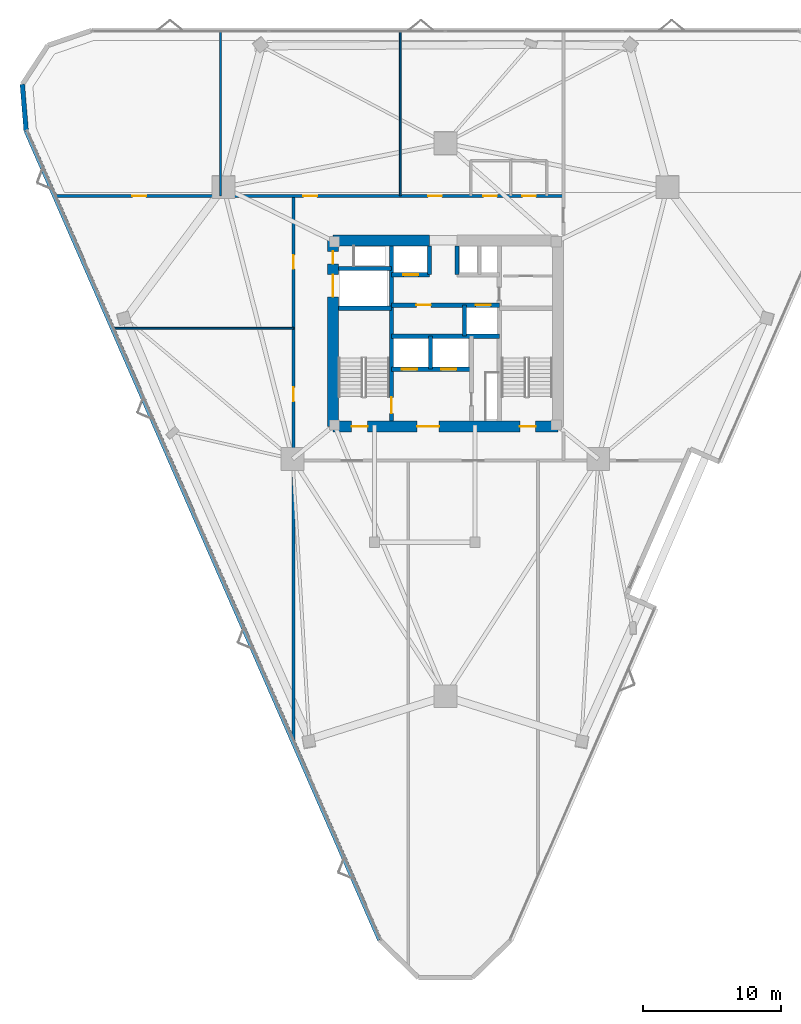
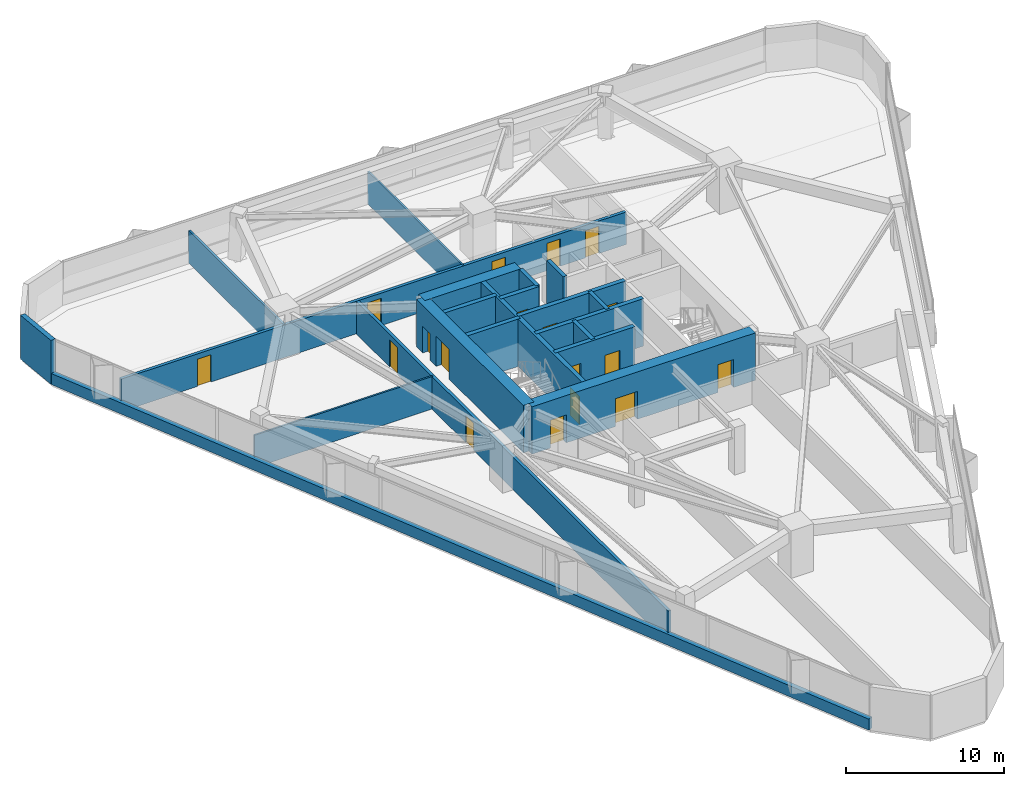
# One storey, part 11 of 15: 21 walls, 18 doors, 18 openings.
"""IFC4 building model written with IfcOpenShell, lengths in metres."""

from ifc_helpers import new_model, si_unit, direction, frame, frame_2d, origin, place, context, subcontext, project, spatial, rectangle, extrude, material, layer, layer_set, type_object, element, fill, save


model = new_model("IFC4")

# Units and contexts
model_context = context("Model", 3, precision=1e-05, world=origin(), true_north=direction((0.0, 1.0)))
body_context = subcontext(model_context, "Body", "Model", "MODEL_VIEW")
ifc_project = project(units=[si_unit("LENGTHUNIT", "METRE"), si_unit("AREAUNIT", "SQUARE_METRE"), si_unit("VOLUMEUNIT", "CUBIC_METRE"), si_unit("PLANEANGLEUNIT", "RADIAN"), si_unit("MASSUNIT", "GRAM", prefix="KILO")], contexts=[model_context])

# Site, building, storey
site_placement = place(None, origin())
site = spatial("IfcSite", under=ifc_project, at=site_placement, CompositionType="ELEMENT")
building_placement = place(site_placement, origin())
building = spatial("IfcBuilding", under=site, at=building_placement, Name="Talyreon Biosciences Tower", CompositionType="ELEMENT")
storey_placement = place(building_placement, frame((0.0, 0.0, 100.550048828125)))
storey = spatial("IfcBuildingStorey", under=building, at=storey_placement, Name="L26", CompositionType="ELEMENT", Elevation=100.550048828125)

# Walls
ifc_material_1 = material(Name="Concrete C50/60", Category="concrete")
ifc_layer_1 = layer(ifc_material_1, 0.280029296875)
ifc_layer_set_1 = layer_set([ifc_layer_1], Name="Concrete C50/60")
wall_type_1 = type_object("IfcWallType", Name="CoreShearWall_280", PredefinedType="SHEAR", material=ifc_layer_set_1)
wall_1_placement = place(storey_placement, frame((64.919921875, 65.39990234375, 0.0), z_axis=(0.0, 0.0, 1.0), x_axis=(0.0, 1.0, 0.0)))
element("IfcWall", 1, at=wall_1_placement, inside=storey, type_object=wall_type_1, Name="L26 Core Shaft Wall SWSHD1", PredefinedType="SHEAR", context=body_context, shape_type="SweptSolid", body=[
    extrude(rectangle(XDim=2.400146484375, YDim=0.280029296875, at=frame_2d((1.2001953125, 0.0))), origin(), (0.0, 0.0, 1.0), 3.64990234375),
])
for number, where, z_axis, x_axis, name in (
    (2, (64.85009765625, 72.25, 0.0), (0.0, 0.0, 1.0), (0.0, 1.0, 0.0), "L26 Core Shaft Wall SWTHW"),
    (3, (66.85009765625, 72.25, 0.0), (0.0, 0.0, 1.0), (0.0, 1.0, 0.0), "L26 Core Shaft Wall SWTHE"),
):
    element("IfcWall", number, at=place(storey_placement, frame(where, z_axis=z_axis, x_axis=x_axis)), inside=storey, type_object=wall_type_1, Name=name, PredefinedType="SHEAR", context=body_context, shape_type="SweptSolid", body=[
        extrude(rectangle(XDim=2.10009765625, YDim=0.280029296875, at=frame_2d((1.050048828125, 0.0))), origin(), (0.0, 0.0, 1.0), 3.64990234375),
    ])
wall_2_placement = place(storey_placement, frame((67.3798828125, 67.800048828125, 0.0), z_axis=(0.0, 0.0, 1.0), x_axis=(0.0, 1.0, 0.0)))
element("IfcWall", 4, at=wall_2_placement, inside=storey, type_object=wall_type_1, Name="L26 Core Shaft Wall SWPMD", PredefinedType="SHEAR", context=body_context, shape_type="SweptSolid", body=[
    extrude(rectangle(XDim=2.25, YDim=0.280029296875, at=frame_2d((1.125, 0.0))), origin(), (0.0, 0.0, 1.0), 3.64990234375),
])

# Wall, opening, door
ifc_layer_2 = layer(ifc_material_1, 0.320068359375)
ifc_layer_set_2 = layer_set([ifc_layer_2], Name="Concrete C50/60")
wall_type_2 = type_object("IfcWallType", Name="CoreShearWall_320", PredefinedType="SHEAR", material=ifc_layer_set_2)
wall_3_placement = place(storey_placement, frame((62.090087890625, 61.64990234375, 0.0), z_axis=(0.0, 0.0, 1.0), x_axis=(0.0, 1.0, 0.0)))
wall_3 = element("IfcWall", 5, at=wall_3_placement, inside=storey, type_object=wall_type_2, Name="L26 Core Shaft Wall SW1E", PredefinedType="SHEAR", context=body_context, shape_type="SweptSolid", body=[
    extrude(rectangle(XDim=12.7001953125, YDim=0.320068359375, at=frame_2d((6.35009765625, 0.0))), origin(), (0.0, 0.0, 1.0), 3.64990234375),
])
opening_1_placement = place(wall_3_placement, frame((0.550048828125, 0.0, 0.0)))
opening_1 = element("IfcOpeningElement", 6, at=opening_1_placement, cuts=wall_3, Name="Opening DR-L26-FF-ST1", PredefinedType="OPENING", context=body_context, shape_type="SweptSolid", body=[
    extrude(rectangle(XDim=1.14990234375, YDim=2.14990234375, at=frame_2d((0.574951171875, 1.074951171875))), frame((0.0, 0.169921875, 0.0), z_axis=(0.0, -1.0, 0.0), x_axis=(1.0, 0.0, 0.0)), (0.0, 0.0, 1.0), 0.340087890625),
])
ifc_material_2 = material(Name="Painted steel fire door", Category="steel")
door_type_1 = type_object("IfcDoorType", Name="StairShaftFireDoor_1150x2150", OperationType="NOTDEFINED", PredefinedType="DOOR", material=ifc_material_2)
door_1_placement = place(opening_1_placement, origin())
door_1 = element("IfcDoor", 7, at=door_1_placement, inside=storey, type_object=door_type_1, Name="L26 Core Door DR-L26-FF-ST1", OperationType="SINGLE_SWING_LEFT", OverallHeight=2.14990234375, OverallWidth=1.14990234375, PredefinedType="DOOR", context=body_context, shape_type="SweptSolid", body=[
    extrude(rectangle(XDim=1.14990234375, YDim=2.14990234375, at=frame_2d((0.574951171875, 1.074951171875))), frame((0.0, 0.02490234375, 0.0), z_axis=(0.0, -1.0, 0.0), x_axis=(1.0, 0.0, 0.0)), (0.0, 0.0, 1.0), 0.050048828125),
])
fill(opening_1, door_1)

# Walls
for number, where, z_axis, x_axis, name in (
    (8, (58.25, 69.81005859375, 0.0), (0.0, 0.0, 1.0), (1.0, 0.0, 0.0), "L26 Core Shaft Wall SW1N"),
    (9, (58.25, 72.699951171875, 0.0), (0.0, 0.0, 1.0), (1.0, 0.0, 0.0), "L26 Core Shaft Wall SWGLN"),
):
    element("IfcWall", number, at=place(storey_placement, frame(where, z_axis=z_axis, x_axis=x_axis)), inside=storey, type_object=wall_type_2, Name=name, PredefinedType="SHEAR", context=body_context, shape_type="SweptSolid", body=[
        extrude(rectangle(XDim=3.840087890625, YDim=0.320068359375, at=frame_2d((1.919921875, 0.0))), origin(), (0.0, 0.0, 1.0), 3.64990234375),
    ])
wall_4_placement = place(storey_placement, frame((62.090087890625, 67.800048828125, 0.0), z_axis=(0.0, 0.0, 1.0), x_axis=(1.0, 0.0, 0.0)))
element("IfcWall", 10, at=wall_4_placement, inside=storey, type_object=wall_type_2, Name="L26 Core Shaft Wall SWSHM", PredefinedType="SHEAR", context=body_context, shape_type="SweptSolid", body=[
    extrude(rectangle(XDim=7.81982421875, YDim=0.320068359375, at=frame_2d((3.909912109375, 0.0))), origin(), (0.0, 0.0, 1.0), 3.64990234375),
])

# Wall, openings, doors
wall_5_placement = place(storey_placement, frame((62.090087890625, 70.050048828125, 0.0), z_axis=(0.0, 0.0, 1.0), x_axis=(1.0, 0.0, 0.0)))
wall_5 = element("IfcWall", 11, at=wall_5_placement, inside=storey, type_object=wall_type_2, Name="L26 Core Shaft Wall SWSPN", PredefinedType="SHEAR", context=body_context, shape_type="SweptSolid", body=[
    extrude(rectangle(XDim=7.81982421875, YDim=0.320068359375, at=frame_2d((3.909912109375, 0.0))), origin(), (0.0, 0.0, 1.0), 3.64990234375),
])
opening_2_placement = place(wall_5_placement, frame((1.800048828125, 0.0, 0.0)))
opening_2 = element("IfcOpeningElement", 12, at=opening_2_placement, cuts=wall_5, Name="Opening DR-L26-PLFREE-A", PredefinedType="OPENING", context=body_context, shape_type="SweptSolid", body=[
    extrude(rectangle(XDim=1.050048828125, YDim=2.14990234375, at=frame_2d((0.52490234375, 1.074951171875))), frame((0.0, 0.169921875, 0.0), z_axis=(0.0, -1.0, 0.0), x_axis=(1.0, 0.0, 0.0)), (0.0, 0.0, 1.0), 0.340087890625),
])
opening_3_placement = place(wall_5_placement, frame((6.10009765625, 0.0, 0.0)))
opening_3 = element("IfcOpeningElement", 13, at=opening_3_placement, cuts=wall_5, Name="Opening LD-L26-PM1", PredefinedType="OPENING", context=body_context, shape_type="SweptSolid", body=[
    extrude(rectangle(XDim=1.10009765625, YDim=2.199951171875, at=frame_2d((0.550048828125, 1.10009765625))), frame((0.0, 0.169921875, 0.0), z_axis=(0.0, -1.0, 0.0), x_axis=(1.0, 0.0, 0.0)), (0.0, 0.0, 1.0), 0.340087890625),
])
ifc_material_3 = material(Name="Acoustic timber-core laboratory door", Category="wood")
door_type_2 = type_object("IfcDoorType", Name="DryLabSingleDoor_1050x2150", OperationType="NOTDEFINED", PredefinedType="DOOR", material=ifc_material_3)
door_2_placement = place(opening_2_placement, origin())
door_2 = element("IfcDoor", 14, at=door_2_placement, inside=storey, type_object=door_type_2, Name="L26 Core Door DR-L26-PLFREE-A", OperationType="SINGLE_SWING_LEFT", OverallHeight=2.14990234375, OverallWidth=1.050048828125, PredefinedType="DOOR", context=body_context, shape_type="SweptSolid", body=[
    extrude(rectangle(XDim=1.050048828125, YDim=2.14990234375, at=frame_2d((0.52490234375, 1.074951171875))), frame((0.0, 0.02490234375, 0.0), z_axis=(0.0, -1.0, 0.0), x_axis=(1.0, 0.0, 0.0)), (0.0, 0.0, 1.0), 0.050048828125),
])
fill(opening_2, door_2)
ifc_material_4 = material(Name="Brushed stainless-steel lift landing door", Category="steel")
door_type_3 = type_object("IfcDoorType", Name="LiftSlidingLandingDoor_1100x2200", OperationType="SLIDING_TO_LEFT", PredefinedType="DOOR", material=ifc_material_4)
door_3_placement = place(opening_3_placement, origin())
door_3 = element("IfcDoor", 15, at=door_3_placement, inside=storey, type_object=door_type_3, Name="L26 Core Door LD-L26-PM1", OperationType="SLIDING_TO_LEFT", OverallHeight=2.199951171875, OverallWidth=1.10009765625, PredefinedType="DOOR", context=body_context, shape_type="SweptSolid", body=[
    extrude(rectangle(XDim=1.10009765625, YDim=2.199951171875, at=frame_2d((0.550048828125, 1.10009765625))), frame((0.0, 0.02490234375, 0.0), z_axis=(0.0, -1.0, 0.0), x_axis=(1.0, 0.0, 0.0)), (0.0, 0.0, 1.0), 0.050048828125),
])
fill(opening_3, door_3)

# Wall, opening, door
wall_6_placement = place(storey_placement, frame((62.090087890625, 72.25, 0.0), z_axis=(0.0, 0.0, 1.0), x_axis=(1.0, 0.0, 0.0)))
wall_6 = element("IfcWall", 16, at=wall_6_placement, inside=storey, type_object=wall_type_2, Name="L26 Core Shaft Wall SWNPW", PredefinedType="SHEAR", context=body_context, shape_type="SweptSolid", body=[
    extrude(rectangle(XDim=2.760009765625, YDim=0.320068359375, at=frame_2d((1.3798828125, 0.0))), origin(), (0.0, 0.0, 1.0), 3.64990234375),
])
opening_4_placement = place(wall_6_placement, frame((0.85009765625, 0.0, 0.0)))
opening_4 = element("IfcOpeningElement", 17, at=opening_4_placement, cuts=wall_6, Name="Opening LD-L26-PM2", PredefinedType="OPENING", context=body_context, shape_type="SweptSolid", body=[
    extrude(rectangle(XDim=1.10009765625, YDim=2.199951171875, at=frame_2d((0.550048828125, 1.10009765625))), frame((0.0, 0.169921875, 0.0), z_axis=(0.0, -1.0, 0.0), x_axis=(1.0, 0.0, 0.0)), (0.0, 0.0, 1.0), 0.340087890625),
])
door_4_placement = place(opening_4_placement, origin())
door_4 = element("IfcDoor", 18, at=door_4_placement, inside=storey, type_object=door_type_3, Name="L26 Core Door LD-L26-PM2", OperationType="SLIDING_TO_LEFT", OverallHeight=2.199951171875, OverallWidth=1.10009765625, PredefinedType="DOOR", context=body_context, shape_type="SweptSolid", body=[
    extrude(rectangle(XDim=1.10009765625, YDim=2.199951171875, at=frame_2d((0.550048828125, 1.10009765625))), frame((0.0, 0.02490234375, 0.0), z_axis=(0.0, -1.0, 0.0), x_axis=(1.0, 0.0, 0.0)), (0.0, 0.0, 1.0), 0.050048828125),
])
fill(opening_4, door_4)

# Wall, openings, doors
wall_7_placement = place(storey_placement, frame((62.090087890625, 65.39990234375, 0.0), z_axis=(0.0, 0.0, 1.0), x_axis=(1.0, 0.0, 0.0)))
wall_7 = element("IfcWall", 19, at=wall_7_placement, inside=storey, type_object=wall_type_2, Name="L26 Core Shaft Wall SWFFN", PredefinedType="SHEAR", context=body_context, shape_type="SweptSolid", body=[
    extrude(rectangle(XDim=5.789794921875, YDim=0.320068359375, at=frame_2d((2.89501953125, 0.0))), origin(), (0.0, 0.0, 1.0), 3.64990234375),
])
opening_5_placement = place(wall_7_placement, frame((0.75, 0.0, 0.0)))
opening_5 = element("IfcOpeningElement", 20, at=opening_5_placement, cuts=wall_7, Name="Opening LD-L26-FL1", PredefinedType="OPENING", context=body_context, shape_type="SweptSolid", body=[
    extrude(rectangle(XDim=1.10009765625, YDim=2.199951171875, at=frame_2d((0.550048828125, 1.10009765625))), frame((0.0, 0.169921875, 0.0), z_axis=(0.0, -1.0, 0.0), x_axis=(1.0, 0.0, 0.0)), (0.0, 0.0, 1.0), 0.340087890625),
])
opening_6_placement = place(wall_7_placement, frame((3.60009765625, 0.0, 0.0)))
opening_6 = element("IfcOpeningElement", 21, at=opening_6_placement, cuts=wall_7, Name="Opening LD-L26-FL2", PredefinedType="OPENING", context=body_context, shape_type="SweptSolid", body=[
    extrude(rectangle(XDim=1.10009765625, YDim=2.199951171875, at=frame_2d((0.550048828125, 1.10009765625))), frame((0.0, 0.169921875, 0.0), z_axis=(0.0, -1.0, 0.0), x_axis=(1.0, 0.0, 0.0)), (0.0, 0.0, 1.0), 0.340087890625),
])
door_5_placement = place(opening_5_placement, origin())
door_5 = element("IfcDoor", 22, at=door_5_placement, inside=storey, type_object=door_type_3, Name="L26 Core Door LD-L26-FL1", OperationType="SLIDING_TO_LEFT", OverallHeight=2.199951171875, OverallWidth=1.10009765625, PredefinedType="DOOR", context=body_context, shape_type="SweptSolid", body=[
    extrude(rectangle(XDim=1.10009765625, YDim=2.199951171875, at=frame_2d((0.550048828125, 1.10009765625))), frame((0.0, 0.02490234375, 0.0), z_axis=(0.0, -1.0, 0.0), x_axis=(1.0, 0.0, 0.0)), (0.0, 0.0, 1.0), 0.050048828125),
])
fill(opening_5, door_5)
door_6_placement = place(opening_6_placement, origin())
door_6 = element("IfcDoor", 23, at=door_6_placement, inside=storey, type_object=door_type_3, Name="L26 Core Door LD-L26-FL2", OperationType="SLIDING_TO_LEFT", OverallHeight=2.199951171875, OverallWidth=1.10009765625, PredefinedType="DOOR", context=body_context, shape_type="SweptSolid", body=[
    extrude(rectangle(XDim=1.10009765625, YDim=2.199951171875, at=frame_2d((0.550048828125, 1.10009765625))), frame((0.0, 0.02490234375, 0.0), z_axis=(0.0, -1.0, 0.0), x_axis=(1.0, 0.0, 0.0)), (0.0, 0.0, 1.0), 0.050048828125),
])
fill(opening_6, door_6)

ifc_material_5 = material(Name="Concrete C60/75", Category="concrete")
ifc_layer_3 = layer(ifc_material_5, 0.800048828125)
ifc_layer_set_3 = layer_set([ifc_layer_3], Name="Concrete C60/75")
wall_type_3 = type_object("IfcWallType", Name="CoreShearWall_800", PredefinedType="SHEAR", material=ifc_layer_set_3)
wall_8_placement = place(storey_placement, frame((57.85009765625, 61.25, 0.0), z_axis=(0.0, 0.0, 1.0), x_axis=(1.0, 0.0, 0.0)))
wall_8 = element("IfcWall", 24, at=wall_8_placement, inside=storey, type_object=wall_type_3, Name="L26 Core Shear Wall S", PredefinedType="SHEAR", context=body_context, shape_type="SweptSolid", body=[
    extrude(rectangle(XDim=16.2998046875, YDim=0.800048828125, at=frame_2d((8.14990234375, 0.0))), origin(), (0.0, 0.0, 1.0), 3.64990234375),
])
opening_7_placement = place(wall_8_placement, frame((1.35009765625, 0.0, 0.0)))
opening_7 = element("IfcOpeningElement", 25, at=opening_7_placement, cuts=wall_8, Name="Opening DR-L26-ST1", PredefinedType="OPENING", context=body_context, shape_type="SweptSolid", body=[
    extrude(rectangle(XDim=1.14990234375, YDim=2.14990234375, at=frame_2d((0.574951171875, 1.074951171875))), frame((0.0, 0.409912109375, 0.0), z_axis=(0.0, -1.0, 0.0), x_axis=(1.0, 0.0, 0.0)), (0.0, 0.0, 1.0), 0.820068359375),
])
opening_8_placement = place(wall_8_placement, frame((6.10009765625, 0.0, 0.0)))
opening_8 = element("IfcOpeningElement", 26, at=opening_8_placement, cuts=wall_8, Name="Opening DR-L26-FFL", PredefinedType="OPENING", context=body_context, shape_type="SweptSolid", body=[
    extrude(rectangle(XDim=1.60009765625, YDim=2.14990234375, at=frame_2d((0.800048828125, 1.074951171875))), frame((0.0, 0.409912109375, 0.0), z_axis=(0.0, -1.0, 0.0), x_axis=(1.0, 0.0, 0.0)), (0.0, 0.0, 1.0), 0.820068359375),
])
opening_9_placement = place(wall_8_placement, frame((13.550048828125, 0.0, 0.0)))
opening_9 = element("IfcOpeningElement", 27, at=opening_9_placement, cuts=wall_8, Name="Opening DR-L26-ST2", PredefinedType="OPENING", context=body_context, shape_type="SweptSolid", body=[
    extrude(rectangle(XDim=1.14990234375, YDim=2.14990234375, at=frame_2d((0.574951171875, 1.074951171875))), frame((0.0, 0.409912109375, 0.0), z_axis=(0.0, -1.0, 0.0), x_axis=(1.0, 0.0, 0.0)), (0.0, 0.0, 1.0), 0.820068359375),
])
ifc_material_6 = material(Name="Painted steel smoke-seal fire door", Category="steel")
door_type_4 = type_object("IfcDoorType", Name="FirefightingLobbyDoubleDoor_1600x2150", OperationType="DOUBLE_DOOR_SINGLE_SWING", PredefinedType="DOOR", material=ifc_material_6)
door_7_placement = place(opening_8_placement, origin())
door_7 = element("IfcDoor", 28, at=door_7_placement, inside=storey, type_object=door_type_4, Name="L26 Core Door DR-L26-FFL", OperationType="DOUBLE_DOOR_SINGLE_SWING", OverallHeight=2.14990234375, OverallWidth=1.60009765625, PredefinedType="DOOR", context=body_context, shape_type="SweptSolid", body=[
    extrude(rectangle(XDim=1.60009765625, YDim=2.14990234375, at=frame_2d((0.800048828125, 1.074951171875))), frame((0.0, 0.02490234375, 0.0), z_axis=(0.0, -1.0, 0.0), x_axis=(1.0, 0.0, 0.0)), (0.0, 0.0, 1.0), 0.050048828125),
])
fill(opening_8, door_7)
door_8_placement = place(opening_7_placement, origin())
door_8 = element("IfcDoor", 29, at=door_8_placement, inside=storey, type_object=door_type_1, Name="L26 Core Door DR-L26-ST1", OperationType="SINGLE_SWING_LEFT", OverallHeight=2.14990234375, OverallWidth=1.14990234375, PredefinedType="DOOR", context=body_context, shape_type="SweptSolid", body=[
    extrude(rectangle(XDim=1.14990234375, YDim=2.14990234375, at=frame_2d((0.574951171875, 1.074951171875))), frame((0.0, 0.02490234375, 0.0), z_axis=(0.0, -1.0, 0.0), x_axis=(1.0, 0.0, 0.0)), (0.0, 0.0, 1.0), 0.050048828125),
])
fill(opening_7, door_8)
door_9_placement = place(opening_9_placement, origin())
door_9 = element("IfcDoor", 30, at=door_9_placement, inside=storey, type_object=door_type_1, Name="L26 Core Door DR-L26-ST2", OperationType="SINGLE_SWING_RIGHT", OverallHeight=2.14990234375, OverallWidth=1.14990234375, PredefinedType="DOOR", context=body_context, shape_type="SweptSolid", body=[
    extrude(rectangle(XDim=1.14990234375, YDim=2.14990234375, at=frame_2d((0.574951171875, 1.074951171875))), frame((0.0, 0.02490234375, 0.0), z_axis=(0.0, -1.0, 0.0), x_axis=(1.0, 0.0, 0.0)), (0.0, 0.0, 1.0), 0.050048828125),
])
fill(opening_9, door_9)

# Wall
wall_9_placement = place(storey_placement, frame((64.85009765625, 74.75, 0.0), z_axis=(0.0, 0.0, 1.0), x_axis=(-1.0, 0.0, 0.0)))
element("IfcWall", 31, at=wall_9_placement, inside=storey, type_object=wall_type_3, Name="L26 Core Shear Wall NW", PredefinedType="SHEAR", context=body_context, shape_type="SweptSolid", body=[
    extrude(rectangle(XDim=7.0, YDim=0.800048828125, at=frame_2d((3.5, 0.0))), origin(), (0.0, 0.0, 1.0), 3.64990234375),
])

# Wall, openings, doors
wall_10_placement = place(storey_placement, frame((57.85009765625, 74.75, 0.0), z_axis=(0.0, 0.0, 1.0), x_axis=(0.0, -1.0, 0.0)))
wall_10 = element("IfcWall", 32, at=wall_10_placement, inside=storey, type_object=wall_type_3, Name="L26 Core Shear Wall W", PredefinedType="SHEAR", context=body_context, shape_type="SweptSolid", body=[
    extrude(rectangle(XDim=13.5, YDim=0.800048828125, at=frame_2d((6.75, 0.0))), origin(), (0.0, 0.0, 1.0), 3.64990234375),
])
opening_10_placement = place(wall_10_placement, frame((0.800048828125, 0.0, 0.0)))
opening_10 = element("IfcOpeningElement", 33, at=opening_10_placement, cuts=wall_10, Name="Opening DR-L26-RSW", PredefinedType="OPENING", context=body_context, shape_type="SweptSolid", body=[
    extrude(rectangle(XDim=0.919921875, YDim=2.050048828125, at=frame_2d((0.4599609375, 1.02490234375))), frame((0.0, 0.409912109375, 0.0), z_axis=(0.0, -1.0, 0.0), x_axis=(1.0, 0.0, 0.0)), (0.0, 0.0, 1.0), 0.820068359375),
])
opening_11_placement = place(wall_10_placement, frame((2.5, 0.0, 0.0)))
opening_11 = element("IfcOpeningElement", 34, at=opening_11_placement, cuts=wall_10, Name="Opening LD-L26-GL1", PredefinedType="OPENING", context=body_context, shape_type="SweptSolid", body=[
    extrude(rectangle(XDim=1.60009765625, YDim=2.300048828125, at=frame_2d((0.800048828125, 1.14990234375))), frame((0.0, 0.409912109375, 0.0), z_axis=(0.0, -1.0, 0.0), x_axis=(1.0, 0.0, 0.0)), (0.0, 0.0, 1.0), 0.820068359375),
])
ifc_material_7 = material(Name="Heavy-duty stainless-steel goods lift door", Category="steel")
door_type_5 = type_object("IfcDoorType", Name="GoodsLiftSlidingDoor_1600x2300", OperationType="DOUBLE_DOOR_SLIDING", PredefinedType="DOOR", material=ifc_material_7)
door_10_placement = place(opening_11_placement, origin())
door_10 = element("IfcDoor", 35, at=door_10_placement, inside=storey, type_object=door_type_5, Name="L26 Core Door LD-L26-GL1", OperationType="DOUBLE_DOOR_SLIDING", OverallHeight=2.300048828125, OverallWidth=1.60009765625, PredefinedType="DOOR", context=body_context, shape_type="SweptSolid", body=[
    extrude(rectangle(XDim=1.60009765625, YDim=2.300048828125, at=frame_2d((0.800048828125, 1.14990234375))), frame((0.0, 0.02490234375, 0.0), z_axis=(0.0, -1.0, 0.0), x_axis=(1.0, 0.0, 0.0)), (0.0, 0.0, 1.0), 0.050048828125),
])
fill(opening_11, door_10)
ifc_material_8 = material(Name="Painted steel fire-rated riser door", Category="steel")
door_type_6 = type_object("IfcDoorType", Name="RiserPlantAccessDoor_920x2050", OperationType="NOTDEFINED", PredefinedType="DOOR", material=ifc_material_8)
door_11_placement = place(opening_10_placement, origin())
door_11 = element("IfcDoor", 36, at=door_11_placement, inside=storey, type_object=door_type_6, Name="L26 Core Door DR-L26-RSW", OperationType="SINGLE_SWING_LEFT", OverallHeight=2.050048828125, OverallWidth=0.919921875, PredefinedType="DOOR", context=body_context, shape_type="SweptSolid", body=[
    extrude(rectangle(XDim=0.919921875, YDim=2.050048828125, at=frame_2d((0.4599609375, 1.02490234375))), frame((0.0, 0.02490234375, 0.0), z_axis=(0.0, -1.0, 0.0), x_axis=(1.0, 0.0, 0.0)), (0.0, 0.0, 1.0), 0.050048828125),
])
fill(opening_10, door_11)

ifc_material_9 = material(Name="Gypsum fireboard acoustic stud", Category="gypsum")
ifc_layer_4 = layer(ifc_material_9, 0.219970703125)
ifc_layer_set_4 = layer_set([ifc_layer_4], Name="Gypsum fireboard acoustic stud")
wall_type_4 = type_object("IfcWallType", Name="CorridorRatedPartition_220", PredefinedType="PARTITIONING", material=ifc_layer_set_4)
wall_11_placement = place(storey_placement, frame((37.74267578125, 77.969970703125, 0.0), z_axis=(0.0, 0.0, 1.0), x_axis=(1.0, 0.0, 0.0)))
wall_11 = element("IfcWall", 37, at=wall_11_placement, inside=storey, type_object=wall_type_4, Name="L26 Interior Wall IW-L26-COR-N", PredefinedType="PARTITIONING", context=body_context, shape_type="SweptSolid", body=[
    extrude(rectangle(XDim=36.807373046875, YDim=0.219970703125, at=frame_2d((18.40380859375, 0.0))), origin(), (0.0, 0.0, 1.0), 2.5048828125),
])
opening_12_placement = place(wall_11_placement, frame((31.01708984375, 0.0, 0.0)))
opening_12 = element("IfcOpeningElement", 38, at=opening_12_placement, cuts=wall_11, Name="Opening DR-L26-WC", PredefinedType="OPENING", context=body_context, shape_type="SweptSolid", body=[
    extrude(rectangle(XDim=0.97998046875, YDim=2.10009765625, at=frame_2d((0.489990234375, 1.050048828125))), frame((0.0, 0.119873046875, 0.0), z_axis=(0.0, -1.0, 0.0), x_axis=(1.0, 0.0, 0.0)), (0.0, 0.0, 1.0), 0.239990234375),
])
opening_13_placement = place(wall_11_placement, frame((33.842041015625, 0.0, 0.0)))
opening_13 = element("IfcOpeningElement", 39, at=opening_13_placement, cuts=wall_11, Name="Opening DR-L26-AWC", PredefinedType="OPENING", context=body_context, shape_type="SweptSolid", body=[
    extrude(rectangle(XDim=0.97998046875, YDim=2.10009765625, at=frame_2d((0.489990234375, 1.050048828125))), frame((0.0, 0.119873046875, 0.0), z_axis=(0.0, -1.0, 0.0), x_axis=(1.0, 0.0, 0.0)), (0.0, 0.0, 1.0), 0.239990234375),
])
opening_14_placement = place(wall_11_placement, frame((5.544921875, 0.0, 0.0)))
opening_14 = element("IfcOpeningElement", 40, at=opening_14_placement, cuts=wall_11, Name="Opening DR-L26-N1A", PredefinedType="OPENING", context=body_context, shape_type="SweptSolid", body=[
    extrude(rectangle(XDim=1.0, YDim=2.10009765625, at=frame_2d((0.5, 1.050048828125))), frame((0.0, 0.119873046875, 0.0), z_axis=(0.0, -1.0, 0.0), x_axis=(1.0, 0.0, 0.0)), (0.0, 0.0, 1.0), 0.239990234375),
])
opening_15_placement = place(wall_11_placement, frame((17.95703125, 0.0, 0.0)))
opening_15 = element("IfcOpeningElement", 41, at=opening_15_placement, cuts=wall_11, Name="Opening DR-L26-N2A", PredefinedType="OPENING", context=body_context, shape_type="SweptSolid", body=[
    extrude(rectangle(XDim=1.0, YDim=2.10009765625, at=frame_2d((0.5, 1.050048828125))), frame((0.0, 0.119873046875, 0.0), z_axis=(0.0, -1.0, 0.0), x_axis=(1.0, 0.0, 0.0)), (0.0, 0.0, 1.0), 0.239990234375),
])
opening_16_placement = place(wall_11_placement, frame((27.0009765625, 0.0, 0.0)))
opening_16 = element("IfcOpeningElement", 42, at=opening_16_placement, cuts=wall_11, Name="Opening DR-L26-N3A", PredefinedType="OPENING", context=body_context, shape_type="SweptSolid", body=[
    extrude(rectangle(XDim=1.0, YDim=2.10009765625, at=frame_2d((0.5, 1.050048828125))), frame((0.0, 0.119873046875, 0.0), z_axis=(0.0, -1.0, 0.0), x_axis=(1.0, 0.0, 0.0)), (0.0, 0.0, 1.0), 0.239990234375),
])
ifc_material_10 = material(Name="Laminate moisture-resistant door", Category="wood")
door_type_7 = type_object("IfcDoorType", Name="AccessibleToiletDoor_980x2100", OperationType="NOTDEFINED", PredefinedType="DOOR", material=ifc_material_10)
door_12_placement = place(opening_12_placement, origin())
door_12 = element("IfcDoor", 43, at=door_12_placement, inside=storey, type_object=door_type_7, Name="L26 Interior Door DR-L26-WC", OperationType="SINGLE_SWING_RIGHT", OverallHeight=2.10009765625, OverallWidth=0.97998046875, PredefinedType="DOOR", context=body_context, shape_type="SweptSolid", body=[
    extrude(rectangle(XDim=0.97998046875, YDim=2.10009765625, at=frame_2d((0.489990234375, 1.050048828125))), frame((0.0, 0.02490234375, 0.0), z_axis=(0.0, -1.0, 0.0), x_axis=(1.0, 0.0, 0.0)), (0.0, 0.0, 1.0), 0.050048828125),
])
fill(opening_12, door_12)
door_13_placement = place(opening_13_placement, origin())
door_13 = element("IfcDoor", 44, at=door_13_placement, inside=storey, type_object=door_type_7, Name="L26 Interior Door DR-L26-AWC", OperationType="SINGLE_SWING_RIGHT", OverallHeight=2.10009765625, OverallWidth=0.97998046875, PredefinedType="DOOR", context=body_context, shape_type="SweptSolid", body=[
    extrude(rectangle(XDim=0.97998046875, YDim=2.10009765625, at=frame_2d((0.489990234375, 1.050048828125))), frame((0.0, 0.02490234375, 0.0), z_axis=(0.0, -1.0, 0.0), x_axis=(1.0, 0.0, 0.0)), (0.0, 0.0, 1.0), 0.050048828125),
])
fill(opening_13, door_13)
ifc_material_11 = material(Name="Acoustic oak veneer office door", Category="wood")
door_type_8 = type_object("IfcDoorType", Name="WriteupOfficeDoor_1000x2100", OperationType="NOTDEFINED", PredefinedType="DOOR", material=ifc_material_11)
door_14_placement = place(opening_14_placement, origin())
door_14 = element("IfcDoor", 45, at=door_14_placement, inside=storey, type_object=door_type_8, Name="L26 Interior Door DR-L26-N1A", OperationType="SINGLE_SWING_RIGHT", OverallHeight=2.10009765625, OverallWidth=1.0, PredefinedType="DOOR", context=body_context, shape_type="SweptSolid", body=[
    extrude(rectangle(XDim=1.0, YDim=2.10009765625, at=frame_2d((0.5, 1.050048828125))), frame((0.0, 0.02490234375, 0.0), z_axis=(0.0, -1.0, 0.0), x_axis=(1.0, 0.0, 0.0)), (0.0, 0.0, 1.0), 0.050048828125),
])
fill(opening_14, door_14)
door_15_placement = place(opening_15_placement, origin())
door_15 = element("IfcDoor", 46, at=door_15_placement, inside=storey, type_object=door_type_8, Name="L26 Interior Door DR-L26-N2A", OperationType="SINGLE_SWING_LEFT", OverallHeight=2.10009765625, OverallWidth=1.0, PredefinedType="DOOR", context=body_context, shape_type="SweptSolid", body=[
    extrude(rectangle(XDim=1.0, YDim=2.10009765625, at=frame_2d((0.5, 1.050048828125))), frame((0.0, 0.02490234375, 0.0), z_axis=(0.0, -1.0, 0.0), x_axis=(1.0, 0.0, 0.0)), (0.0, 0.0, 1.0), 0.050048828125),
])
fill(opening_15, door_15)
door_16_placement = place(opening_16_placement, origin())
door_16 = element("IfcDoor", 47, at=door_16_placement, inside=storey, type_object=door_type_8, Name="L26 Interior Door DR-L26-N3A", OperationType="SINGLE_SWING_RIGHT", OverallHeight=2.10009765625, OverallWidth=1.0, PredefinedType="DOOR", context=body_context, shape_type="SweptSolid", body=[
    extrude(rectangle(XDim=1.0, YDim=2.10009765625, at=frame_2d((0.5, 1.050048828125))), frame((0.0, 0.02490234375, 0.0), z_axis=(0.0, -1.0, 0.0), x_axis=(1.0, 0.0, 0.0)), (0.0, 0.0, 1.0), 0.050048828125),
])
fill(opening_16, door_16)

wall_12_placement = place(storey_placement, frame((54.97998046875, 38.519775390625, 0.0), z_axis=(0.0, 0.0, 1.0), x_axis=(0.0, 1.0, 0.0)))
wall_12 = element("IfcWall", 48, at=wall_12_placement, inside=storey, type_object=wall_type_4, Name="L26 Interior Wall IW-L26-COR-W", PredefinedType="PARTITIONING", context=body_context, shape_type="SweptSolid", body=[
    extrude(rectangle(XDim=39.4501953125, YDim=0.219970703125, at=frame_2d((19.72509765625, 0.0))), origin(), (0.0, 0.0, 1.0), 2.5048828125),
])
opening_17_placement = place(wall_12_placement, frame((24.550048828125, 0.0, 0.0)))
opening_17 = element("IfcOpeningElement", 49, at=opening_17_placement, cuts=wall_12, Name="Opening DR-L26-W1A", PredefinedType="OPENING", context=body_context, shape_type="SweptSolid", body=[
    extrude(rectangle(XDim=1.0, YDim=2.10009765625, at=frame_2d((0.5, 1.050048828125))), frame((0.0, 0.119873046875, 0.0), z_axis=(0.0, -1.0, 0.0), x_axis=(1.0, 0.0, 0.0)), (0.0, 0.0, 1.0), 0.239990234375),
])
opening_18_placement = place(wall_12_placement, frame((34.14990234375, 0.0, 0.0)))
opening_18 = element("IfcOpeningElement", 50, at=opening_18_placement, cuts=wall_12, Name="Opening DR-L26-W2A", PredefinedType="OPENING", context=body_context, shape_type="SweptSolid", body=[
    extrude(rectangle(XDim=1.0, YDim=2.10009765625, at=frame_2d((0.5, 1.050048828125))), frame((0.0, 0.119873046875, 0.0), z_axis=(0.0, -1.0, 0.0), x_axis=(1.0, 0.0, 0.0)), (0.0, 0.0, 1.0), 0.239990234375),
])
door_17_placement = place(opening_17_placement, origin())
door_17 = element("IfcDoor", 51, at=door_17_placement, inside=storey, type_object=door_type_8, Name="L26 Interior Door DR-L26-W1A", OperationType="SINGLE_SWING_LEFT", OverallHeight=2.10009765625, OverallWidth=1.0, PredefinedType="DOOR", context=body_context, shape_type="SweptSolid", body=[
    extrude(rectangle(XDim=1.0, YDim=2.10009765625, at=frame_2d((0.5, 1.050048828125))), frame((0.0, 0.02490234375, 0.0), z_axis=(0.0, -1.0, 0.0), x_axis=(1.0, 0.0, 0.0)), (0.0, 0.0, 1.0), 0.050048828125),
])
fill(opening_17, door_17)
door_18_placement = place(opening_18_placement, origin())
door_18 = element("IfcDoor", 52, at=door_18_placement, inside=storey, type_object=door_type_8, Name="L26 Interior Door DR-L26-W2A", OperationType="SINGLE_SWING_LEFT", OverallHeight=2.10009765625, OverallWidth=1.0, PredefinedType="DOOR", context=body_context, shape_type="SweptSolid", body=[
    extrude(rectangle(XDim=1.0, YDim=2.10009765625, at=frame_2d((0.5, 1.050048828125))), frame((0.0, 0.02490234375, 0.0), z_axis=(0.0, -1.0, 0.0), x_axis=(1.0, 0.0, 0.0)), (0.0, 0.0, 1.0), 0.050048828125),
])
fill(opening_18, door_18)

# Walls
ifc_material_12 = material(Name="Gypsum acoustic stud partition", Category="gypsum")
ifc_layer_5 = layer(ifc_material_12, 0.159912109375)
ifc_layer_set_5 = layer_set([ifc_layer_5], Name="Gypsum acoustic stud partition")
wall_type_5 = type_object("IfcWallType", Name="LabSeparationPartition_160", PredefinedType="PARTITIONING", material=ifc_layer_set_5)
wall_13_placement = place(storey_placement, frame((49.68310546875, 77.969970703125, 0.0), z_axis=(0.0, 0.0, 1.0), x_axis=(0.0, 1.0, 0.0)))
element("IfcWall", 53, at=wall_13_placement, inside=storey, type_object=wall_type_5, Name="L26 Interior Wall IW-L26-NDIV1", PredefinedType="PARTITIONING", context=body_context, shape_type="SweptSolid", body=[
    extrude(rectangle(XDim=11.931640625, YDim=0.159912109375, at=frame_2d((5.9658203125, 0.0))), origin(), (0.0, 0.0, 1.0), 2.5048828125),
])
ifc_layer_6 = layer(ifc_material_12, 0.1298828125)
ifc_layer_set_6 = layer_set([ifc_layer_6], Name="Gypsum acoustic stud partition")
wall_type_6 = type_object("IfcWallType", Name="OfficeWriteupPartition_130", PredefinedType="PARTITIONING", material=ifc_layer_set_6)
wall_14_placement = place(storey_placement, frame((62.717041015625, 77.969970703125, 0.0), z_axis=(0.0, 0.0, 1.0), x_axis=(0.0, 1.0, 0.0)))
element("IfcWall", 54, at=wall_14_placement, inside=storey, type_object=wall_type_6, Name="L26 Interior Wall IW-L26-NDIV2", PredefinedType="PARTITIONING", context=body_context, shape_type="SweptSolid", body=[
    extrude(rectangle(XDim=11.931640625, YDim=0.1298828125, at=frame_2d((5.9658203125, 0.0))), origin(), (0.0, 0.0, 1.0), 2.5048828125),
])
wall_15_placement = place(storey_placement, frame((41.937255859375, 68.3701171875, 0.0), z_axis=(0.0, 0.0, 1.0), x_axis=(1.0, 0.0, 0.0)))
element("IfcWall", 55, at=wall_15_placement, inside=storey, type_object=wall_type_6, Name="L26 Interior Wall IW-L26-WDIV1", PredefinedType="PARTITIONING", context=body_context, shape_type="SweptSolid", body=[
    extrude(rectangle(XDim=13.042724609375, YDim=0.1298828125, at=frame_2d((6.521484375, 0.0))), origin(), (0.0, 0.0, 1.0), 2.5048828125),
])
ifc_material_13 = material(Name="Precast concrete C45/55", Category="concrete")
ifc_layer_7 = layer(ifc_material_13, 0.340087890625)
ifc_layer_set_7 = layer_set([ifc_layer_7], Name="Precast concrete C45/55")
wall_type_7 = type_object("IfcWallType", Name="PrecastConcreteSpandrelWall_340", PredefinedType="STANDARD", material=ifc_layer_set_7)
wall_16_placement = place(storey_placement, frame((35.581298828125, 82.70458984375, 0.0), z_axis=(0.0, 0.0, 1.0), x_axis=(-0.081458806321, 0.996676709306, 0.0)))
element("IfcWall", 56, at=wall_16_placement, inside=storey, type_object=wall_type_7, Name="L26 Rounded-Corner Concrete Pier 00", PredefinedType="STANDARD", context=body_context, shape_type="SweptSolid", body=[
    extrude(rectangle(XDim=3.374755859375, YDim=0.340087890625, at=frame_2d((1.6875, 0.0))), origin(), (0.0, 0.0, 1.0), 3.375),
])
wall_17_placement = place(storey_placement, frame((61.235107421875, 23.991943359375, 0.0), z_axis=(0.0, 0.0, 1.0), x_axis=(-0.400386830101, 0.916346215293, 0.0)))
element("IfcWall", 57, at=wall_17_placement, inside=storey, type_object=wall_type_7, Name="L26 Expressed Concrete Sill Wall 15", PredefinedType="STANDARD", context=body_context, shape_type="SweptSolid", body=[
    extrude(rectangle(XDim=64.072509765625, YDim=0.340087890625, at=frame_2d((32.0361328125, 0.0))), origin(), (0.0, 0.0, 1.0), 0.849853515625),
])

save(model, "model.ifc")
